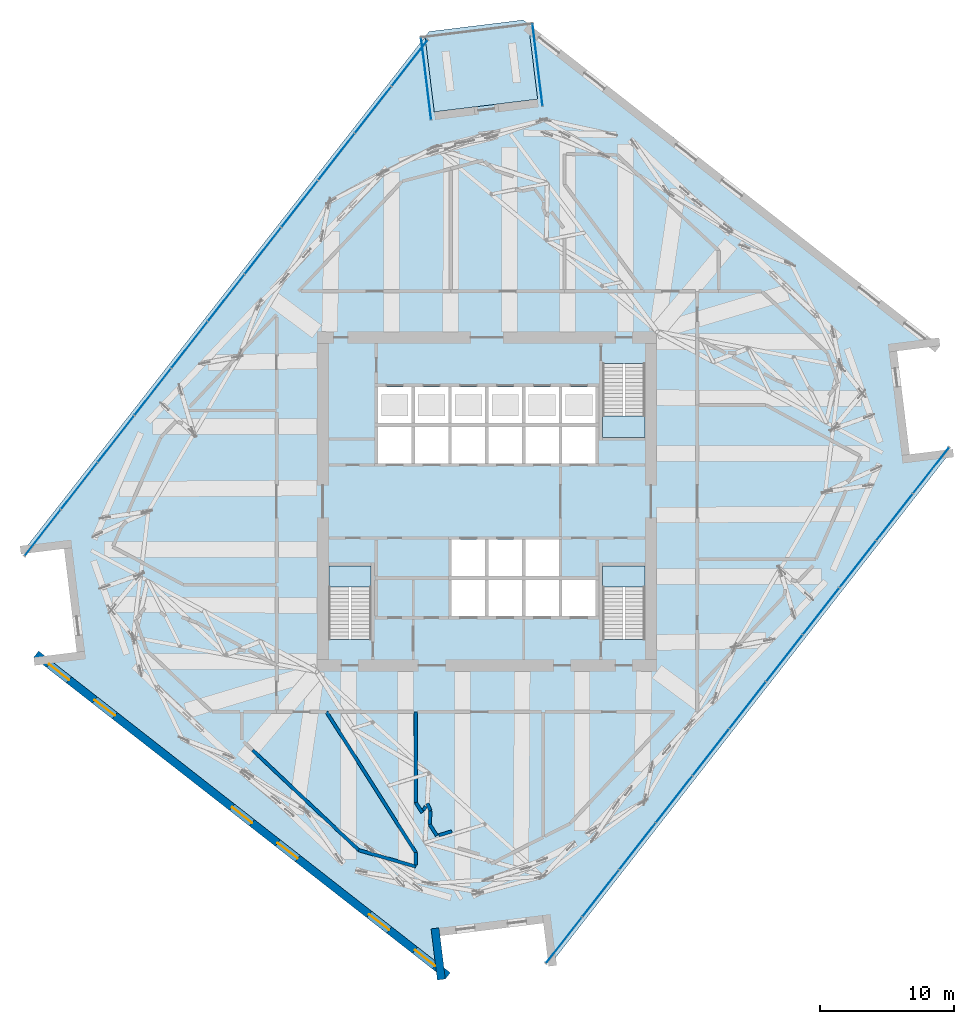
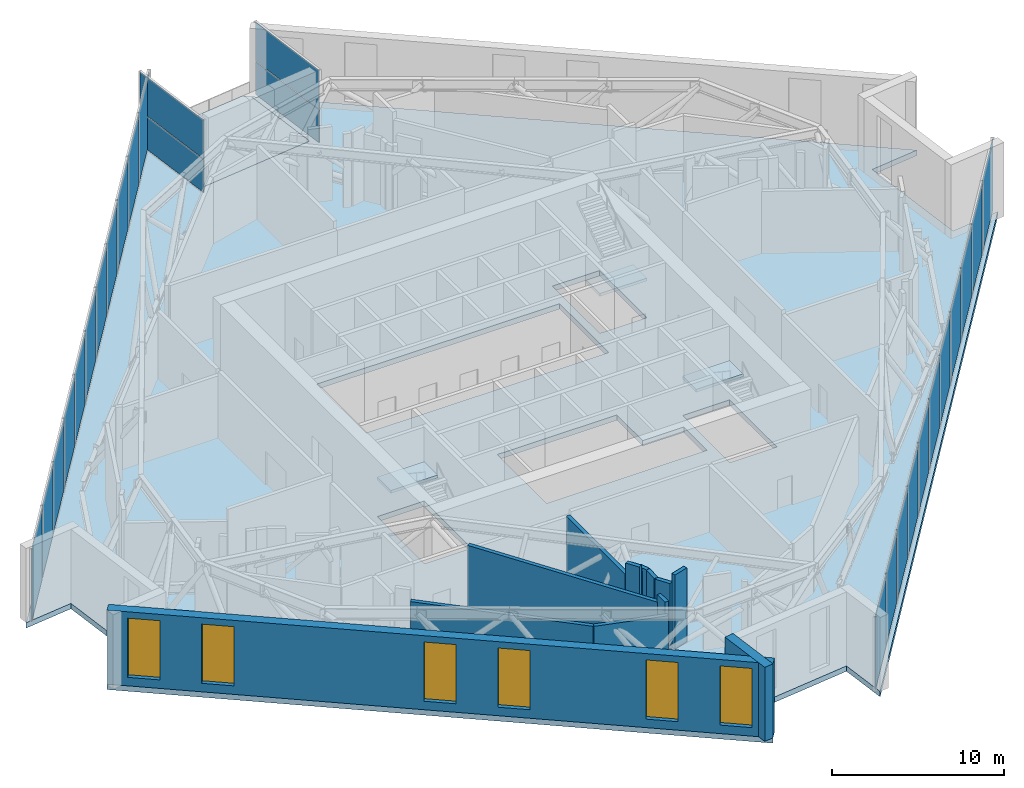
# One storey, part 11 of 23: 26 plates, 13 walls, 6 windows, 5 slabs, 6 openings, 7 elements without a shape of their own.
"""IFC4 building model written with IfcOpenShell, lengths in metres."""

from ifc_helpers import new_model, si_unit, direction, frame, frame_2d, origin, origin_2d, place, context, subcontext, project, spatial, polyline, rectangle, outline, extrude, material, layer, layer_set, type_object, element, fill, aggregate, save


model = new_model("IFC4")

# Units and contexts
model_context = context("Model", 3, precision=1e-05, world=origin(), true_north=direction((0.0, 1.0)))
body_context = subcontext(model_context, "Body", "Model", "MODEL_VIEW")
ifc_project = project(units=[si_unit("LENGTHUNIT", "METRE"), si_unit("AREAUNIT", "SQUARE_METRE"), si_unit("VOLUMEUNIT", "CUBIC_METRE"), si_unit("PLANEANGLEUNIT", "RADIAN"), si_unit("MASSUNIT", "GRAM", prefix="KILO")], contexts=[model_context])

# Site, building, storey
site_placement = place(None, origin())
site = spatial("IfcSite", under=ifc_project, at=site_placement, CompositionType="ELEMENT")
building_placement = place(site_placement, origin())
building = spatial("IfcBuilding", under=site, at=building_placement, Name="Dilmun Exchange Tower", CompositionType="ELEMENT")
storey_placement = place(building_placement, frame((0.0, 0.0, 237.300048828125)))
storey = spatial("IfcBuildingStorey", under=building, at=storey_placement, Name="L56", CompositionType="ELEMENT", Elevation=237.300048828125)

# Stair, slab
ifc_material_1 = material(Name="Concrete C40/50", Category="concrete")
stair_type = type_object("IfcStairType", Name="Exit stair 1500 half-turn", PredefinedType="HALF_TURN_STAIR", material=ifc_material_1)
stair_1_placement = place(storey_placement, origin())
stair_1 = element("IfcStair", 1, at=stair_1_placement, inside=storey, type_object=stair_type, Name="L56 Protected exit stair ST1", PredefinedType="HALF_TURN_STAIR")
ifc_layer_1 = layer(ifc_material_1, 0.199951171875)
ifc_layer_set_1 = layer_set([ifc_layer_1], Name="Concrete C40/50")
slab_type_1 = type_object("IfcSlabType", Name="Exit stair landing 200", PredefinedType="LANDING", material=ifc_layer_set_1)
slab_1_placement = place(storey_placement, frame((0.0, 0.0, 2.599853515625)))
slab_1 = element("IfcSlab", 2, at=slab_1_placement, type_object=slab_type_1, Name="ST1 landing 1", PredefinedType="LANDING", context=body_context, shape_type="SweptSolid", body=[
    extrude(outline(polyline([(8.64990234375, 6.3798828125), (8.64990234375, 4.800048828125), (11.800048828125, 4.800048828125), (11.800048828125, 6.3798828125), (8.64990234375, 6.3798828125)])), origin(), (0.0, 0.0, 1.0), 0.2001953125),
])
aggregate(stair_1, [slab_1])

stair_2_placement = place(storey_placement, origin())
stair_2 = element("IfcStair", 3, at=stair_2_placement, inside=storey, type_object=stair_type, Name="L56 Protected exit stair ST2", PredefinedType="HALF_TURN_STAIR")
slab_2_placement = place(storey_placement, frame((0.0, 0.0, 2.599853515625)))
slab_2 = element("IfcSlab", 4, at=slab_2_placement, type_object=slab_type_1, Name="ST2 landing 1", PredefinedType="LANDING", context=body_context, shape_type="SweptSolid", body=[
    extrude(outline(polyline([(-8.64990234375, -6.3798828125), (-8.64990234375, -4.800048828125), (-11.800048828125, -4.800048828125), (-11.800048828125, -6.3798828125), (-8.64990234375, -6.3798828125)])), origin(), (0.0, 0.0, 1.0), 0.2001953125),
])
aggregate(stair_2, [slab_2])

stair_3_placement = place(storey_placement, origin())
stair_3 = element("IfcStair", 5, at=stair_3_placement, inside=storey, type_object=stair_type, Name="L56 Protected exit stair ST3", PredefinedType="HALF_TURN_STAIR")
slab_3_placement = place(storey_placement, frame((0.0, 0.0, 2.599853515625)))
slab_3 = element("IfcSlab", 6, at=slab_3_placement, type_object=slab_type_1, Name="ST3 landing 1", PredefinedType="LANDING", context=body_context, shape_type="SweptSolid", body=[
    extrude(outline(polyline([(11.800048828125, -6.3798828125), (11.800048828125, -4.800048828125), (8.64990234375, -4.800048828125), (8.64990234375, -6.3798828125), (11.800048828125, -6.3798828125)])), origin(), (0.0, 0.0, 1.0), 0.2001953125),
])
aggregate(stair_3, [slab_3])

# Curtain wall, plates
ifc_material_2 = material(Name="Anodised aluminium and clear glass", Category="aluminium")
curtain_wall_type_1 = type_object("IfcCurtainWallType", Name="Garden corner glazing", PredefinedType="NOTDEFINED", material=ifc_material_2)
curtain_wall_1_placement = place(storey_placement, origin())
curtain_wall_1 = element("IfcCurtainWall", 7, at=curtain_wall_1_placement, inside=storey, type_object=curtain_wall_type_1, Name="Garden corner glazing run GC1.1", PredefinedType="NOTDEFINED")
ifc_material_3 = material(Name="Clear glass", Category="glass")
ifc_layer_2 = layer(ifc_material_3, 0.028076171875)
ifc_layer_set_2 = layer_set([ifc_layer_2], Name="Clear glass")
plate_type_1 = type_object("IfcPlateType", Name="Garden corner glazing glass panel 28", PredefinedType="CURTAIN_PANEL", material=ifc_layer_set_2)
plate_1_placement = place(storey_placement, frame((3.781982421875, 32.582275390625, 0.059814453125), z_axis=(0.0, 0.0, 1.0), x_axis=(0.12186114246, -0.992547158556, 0.0)))
plate_1 = element("IfcPlate", 8, at=plate_1_placement, type_object=plate_type_1, Name="GC1.1 panel 1.1", PredefinedType="CURTAIN_PANEL", context=body_context, shape_type="SweptSolid", body=[
    extrude(rectangle(XDim=6.12646484375, YDim=0.028076171875, at=origin_2d()), origin(), (0.0, 0.0, 1.0), 2.31005859375),
])
plate_2_placement = place(storey_placement, frame((3.781982421875, 32.582275390625, 2.429931640625), z_axis=(0.0, 0.0, 1.0), x_axis=(0.12186114246, -0.992547158556, 0.0)))
plate_2 = element("IfcPlate", 9, at=plate_2_placement, type_object=plate_type_1, Name="GC1.1 panel 1.2", PredefinedType="CURTAIN_PANEL", context=body_context, shape_type="SweptSolid", body=[
    extrude(rectangle(XDim=6.12646484375, YDim=0.028076171875, at=origin_2d()), origin(), (0.0, 0.0, 1.0), 2.75),
])
aggregate(curtain_wall_1, [plate_1, plate_2])

curtain_wall_2_placement = place(storey_placement, origin())
curtain_wall_2 = element("IfcCurtainWall", 10, at=curtain_wall_2_placement, inside=storey, type_object=curtain_wall_type_1, Name="Garden corner glazing run GC3.1", PredefinedType="NOTDEFINED")
plate_3_placement = place(storey_placement, frame((-4.53369140625, 31.561279296875, 0.059814453125), z_axis=(0.0, 0.0, 1.0), x_axis=(-0.121863078832, 0.992546920814, 0.0)))
plate_3 = element("IfcPlate", 11, at=plate_3_placement, type_object=plate_type_1, Name="GC3.1 panel 1.1", PredefinedType="CURTAIN_PANEL", context=body_context, shape_type="SweptSolid", body=[
    extrude(rectangle(XDim=6.12646484375, YDim=0.028076171875, at=origin_2d()), origin(), (0.0, 0.0, 1.0), 2.31005859375),
])
plate_4_placement = place(storey_placement, frame((-4.53369140625, 31.561279296875, 2.429931640625), z_axis=(0.0, 0.0, 1.0), x_axis=(-0.121863078832, 0.992546920814, 0.0)))
plate_4 = element("IfcPlate", 12, at=plate_4_placement, type_object=plate_type_1, Name="GC3.1 panel 1.2", PredefinedType="CURTAIN_PANEL", context=body_context, shape_type="SweptSolid", body=[
    extrude(rectangle(XDim=6.12646484375, YDim=0.028076171875, at=origin_2d()), origin(), (0.0, 0.0, 1.0), 2.75),
])
aggregate(curtain_wall_2, [plate_3, plate_4])

# Slabs
ifc_layer_3 = layer(ifc_material_1, 0.3798828125)
ifc_layer_set_3 = layer_set([ifc_layer_3], Name="Concrete C40/50")
slab_type_2 = type_object("IfcSlabType", Name="RC floor slab 380", PredefinedType="FLOOR", material=ifc_layer_set_3)
slab_4_placement = place(storey_placement, frame((0.0, 0.0, -0.380126953125)))
element("IfcSlab", 13, at=slab_4_placement, inside=storey, type_object=slab_type_2, Name="Floor slab", PredefinedType="FLOOR", context=body_context, shape_type="SweptSolid", body=[
    extrude(outline(polyline([(30.61376953125, 11.2392578125), (31.561767578125, 3.51904296875), (34.783935546875, 3.914794921875), (4.61669921875, -34.69775390625), (4.220947265625, -31.4755859375), (-3.499267578125, -32.423583984375), (-3.103515625, -35.645751953125), (-33.836181640625, -11.635009765625), (-30.61376953125, -11.2392578125), (-31.561767578125, -3.51904296875), (-34.783935546875, -3.914794921875), (-4.61669921875, 34.69775390625), (-3.928466796875, 29.093505859375), (3.791748046875, 30.04150390625), (3.103515625, 35.645751953125), (33.836181640625, 11.635009765625), (30.61376953125, 11.2392578125)]), holes=[polyline([(-8.64990234375, -4.800048828125), (-11.800048828125, -4.800048828125), (-11.800048828125, -10.294921875), (-8.64990234375, -10.294921875), (-8.64990234375, -4.800048828125)]), polyline([(11.800048828125, -4.800048828125), (8.64990234375, -4.800048828125), (8.64990234375, -10.294921875), (11.800048828125, -10.294921875), (11.800048828125, -4.800048828125)]), polyline([(5.375, -2.85009765625), (-2.625, -2.85009765625), (-2.625, -8.550048828125), (8.125, -8.550048828125), (8.125, -5.85009765625), (5.375, -5.85009765625), (5.375, -2.85009765625)]), polyline([(8.125, 8.550048828125), (-8.125, 8.550048828125), (-8.125, 2.85009765625), (8.125, 2.85009765625), (8.125, 8.550048828125)]), polyline([(8.64990234375, 10.294921875), (8.64990234375, 4.800048828125), (11.800048828125, 4.800048828125), (11.800048828125, 10.294921875), (8.64990234375, 10.294921875)])]), origin(), (0.0, 0.0, 1.0), 0.380126953125),
])
ifc_layer_4 = layer(ifc_material_1, 0.300048828125)
ifc_layer_set_4 = layer_set([ifc_layer_4], Name="Concrete C40/50")
slab_type_3 = type_object("IfcSlabType", Name="RC garden terrace slab 300", PredefinedType="FLOOR", material=ifc_layer_set_4)
slab_5_placement = place(storey_placement, frame((0.0, 0.0, -0.300048828125)))
element("IfcSlab", 14, at=slab_5_placement, inside=storey, type_object=slab_type_3, Name="Garden terrace slab", PredefinedType="FLOOR", context=body_context, shape_type="SweptSolid", body=[
    extrude(outline(polyline([(-3.928466796875, 29.093505859375), (-4.61669921875, 34.69775390625), (-4.30859375, 35.091796875), (2.709716796875, 35.95361328125), (3.103515625, 35.645751953125), (3.791748046875, 30.04150390625), (-3.928466796875, 29.093505859375)])), origin(), (0.0, 0.0, 1.0), 0.300048828125),
])

# Curtain wall, plates
curtain_wall_type_2 = type_object("IfcCurtainWallType", Name="Sky lobby glazing", PredefinedType="NOTDEFINED", material=ifc_material_2)
curtain_wall_3_placement = place(storey_placement, origin())
curtain_wall_3 = element("IfcCurtainWall", 15, at=curtain_wall_3_placement, inside=storey, type_object=curtain_wall_type_2, Name="Sky lobby glazing run SL4", PredefinedType="NOTDEFINED")
ifc_layer_5 = layer(ifc_material_3, 0.031982421875)
ifc_layer_set_5 = layer_set([ifc_layer_5], Name="Clear glass")
plate_type_2 = type_object("IfcPlateType", Name="Sky lobby glazing glass panel 32", PredefinedType="CURTAIN_PANEL", material=ifc_layer_set_5)
plate_5_placement = place(storey_placement, frame((-5.76220703125, 32.744140625, 0.06982421875), z_axis=(0.0, 0.0, 1.0), x_axis=(-0.615661586164, -0.78801066701, 0.0)))
plate_5 = element("IfcPlate", 16, at=plate_5_placement, type_object=plate_type_2, Name="SL4 panel 1.1", PredefinedType="CURTAIN_PANEL", context=body_context, shape_type="SweptSolid", body=[
    extrude(rectangle(XDim=4.349609375, YDim=0.031982421875, at=origin_2d()), origin(), (0.0, 0.0, 1.0), 5.10009765625),
])
plate_6_placement = place(storey_placement, frame((-8.493896484375, 29.247802734375, 0.06982421875), z_axis=(0.0, 0.0, 1.0), x_axis=(-0.615661586164, -0.78801066701, 0.0)))
plate_6 = element("IfcPlate", 17, at=plate_6_placement, type_object=plate_type_2, Name="SL4 panel 2.1", PredefinedType="CURTAIN_PANEL", context=body_context, shape_type="SweptSolid", body=[
    extrude(rectangle(XDim=4.384521484375, YDim=0.031982421875, at=origin_2d()), origin(), (0.0, 0.0, 1.0), 5.10009765625),
])
plate_7_placement = place(storey_placement, frame((-11.236328125, 25.737548828125, 0.06982421875), z_axis=(0.0, 0.0, 1.0), x_axis=(-0.615661586164, -0.78801066701, 0.0)))
plate_7 = element("IfcPlate", 18, at=plate_7_placement, type_object=plate_type_2, Name="SL4 panel 3.1", PredefinedType="CURTAIN_PANEL", context=body_context, shape_type="SweptSolid", body=[
    extrude(rectangle(XDim=4.384521484375, YDim=0.031982421875, at=origin_2d()), origin(), (0.0, 0.0, 1.0), 5.10009765625),
])
plate_8_placement = place(storey_placement, frame((-13.97900390625, 22.227294921875, 0.06982421875), z_axis=(0.0, 0.0, 1.0), x_axis=(-0.615661586164, -0.78801066701, 0.0)))
plate_8 = element("IfcPlate", 19, at=plate_8_placement, type_object=plate_type_2, Name="SL4 panel 4.1", PredefinedType="CURTAIN_PANEL", context=body_context, shape_type="SweptSolid", body=[
    extrude(rectangle(XDim=4.384521484375, YDim=0.031982421875, at=origin_2d()), origin(), (0.0, 0.0, 1.0), 5.10009765625),
])
plate_9_placement = place(storey_placement, frame((-16.721435546875, 18.717041015625, 0.06982421875), z_axis=(0.0, 0.0, 1.0), x_axis=(-0.615661586164, -0.78801066701, 0.0)))
plate_9 = element("IfcPlate", 20, at=plate_9_placement, type_object=plate_type_2, Name="SL4 panel 5.1", PredefinedType="CURTAIN_PANEL", context=body_context, shape_type="SweptSolid", body=[
    extrude(rectangle(XDim=4.384521484375, YDim=0.031982421875, at=origin_2d()), origin(), (0.0, 0.0, 1.0), 5.10009765625),
])
plate_10_placement = place(storey_placement, frame((-19.4638671875, 15.206787109375, 0.06982421875), z_axis=(0.0, 0.0, 1.0), x_axis=(-0.615661586164, -0.78801066701, 0.0)))
plate_10 = element("IfcPlate", 21, at=plate_10_placement, type_object=plate_type_2, Name="SL4 panel 6.1", PredefinedType="CURTAIN_PANEL", context=body_context, shape_type="SweptSolid", body=[
    extrude(rectangle(XDim=4.384521484375, YDim=0.031982421875, at=origin_2d()), origin(), (0.0, 0.0, 1.0), 5.10009765625),
])
plate_11_placement = place(storey_placement, frame((-22.206298828125, 11.696533203125, 0.06982421875), z_axis=(0.0, 0.0, 1.0), x_axis=(-0.615661586164, -0.78801066701, 0.0)))
plate_11 = element("IfcPlate", 22, at=plate_11_placement, type_object=plate_type_2, Name="SL4 panel 7.1", PredefinedType="CURTAIN_PANEL", context=body_context, shape_type="SweptSolid", body=[
    extrude(rectangle(XDim=4.384521484375, YDim=0.031982421875, at=origin_2d()), origin(), (0.0, 0.0, 1.0), 5.10009765625),
])
plate_12_placement = place(storey_placement, frame((-24.948974609375, 8.186279296875, 0.06982421875), z_axis=(0.0, 0.0, 1.0), x_axis=(-0.615661586164, -0.78801066701, 0.0)))
plate_12 = element("IfcPlate", 23, at=plate_12_placement, type_object=plate_type_2, Name="SL4 panel 8.1", PredefinedType="CURTAIN_PANEL", context=body_context, shape_type="SweptSolid", body=[
    extrude(rectangle(XDim=4.384521484375, YDim=0.031982421875, at=origin_2d()), origin(), (0.0, 0.0, 1.0), 5.10009765625),
])
plate_13_placement = place(storey_placement, frame((-27.69140625, 4.67626953125, 0.06982421875), z_axis=(0.0, 0.0, 1.0), x_axis=(-0.615661586164, -0.78801066701, 0.0)))
plate_13 = element("IfcPlate", 24, at=plate_13_placement, type_object=plate_type_2, Name="SL4 panel 9.1", PredefinedType="CURTAIN_PANEL", context=body_context, shape_type="SweptSolid", body=[
    extrude(rectangle(XDim=4.384521484375, YDim=0.031982421875, at=origin_2d()), origin(), (0.0, 0.0, 1.0), 5.10009765625),
])
plate_14_placement = place(storey_placement, frame((-30.433837890625, 1.166015625, 0.06982421875), z_axis=(0.0, 0.0, 1.0), x_axis=(-0.615661586164, -0.78801066701, 0.0)))
plate_14 = element("IfcPlate", 25, at=plate_14_placement, type_object=plate_type_2, Name="SL4 panel 10.1", PredefinedType="CURTAIN_PANEL", context=body_context, shape_type="SweptSolid", body=[
    extrude(rectangle(XDim=4.384521484375, YDim=0.031982421875, at=origin_2d()), origin(), (0.0, 0.0, 1.0), 5.10009765625),
])
plate_15_placement = place(storey_placement, frame((-33.16552734375, -2.33056640625, 0.06982421875), z_axis=(0.0, 0.0, 1.0), x_axis=(-0.615661586164, -0.78801066701, 0.0)))
plate_15 = element("IfcPlate", 26, at=plate_15_placement, type_object=plate_type_2, Name="SL4 panel 11.1", PredefinedType="CURTAIN_PANEL", context=body_context, shape_type="SweptSolid", body=[
    extrude(rectangle(XDim=4.349609375, YDim=0.031982421875, at=origin_2d()), origin(), (0.0, 0.0, 1.0), 5.10009765625),
])
aggregate(curtain_wall_3, [plate_5, plate_6, plate_7, plate_8, plate_9, plate_10, plate_11, plate_12, plate_13, plate_14, plate_15])

curtain_wall_4_placement = place(storey_placement, origin())
curtain_wall_4 = element("IfcCurtainWall", 27, at=curtain_wall_4_placement, inside=storey, type_object=curtain_wall_type_2, Name="Sky lobby glazing run SL12", PredefinedType="NOTDEFINED")
plate_16_placement = place(storey_placement, frame((5.76220703125, -32.744140625, 0.06982421875), z_axis=(0.0, 0.0, 1.0), x_axis=(0.615661586164, 0.78801066701, 0.0)))
plate_16 = element("IfcPlate", 28, at=plate_16_placement, type_object=plate_type_2, Name="SL12 panel 1.1", PredefinedType="CURTAIN_PANEL", context=body_context, shape_type="SweptSolid", body=[
    extrude(rectangle(XDim=4.349609375, YDim=0.031982421875, at=origin_2d()), origin(), (0.0, 0.0, 1.0), 5.10009765625),
])
plate_17_placement = place(storey_placement, frame((8.493896484375, -29.247802734375, 0.06982421875), z_axis=(0.0, 0.0, 1.0), x_axis=(0.615661586164, 0.78801066701, 0.0)))
plate_17 = element("IfcPlate", 29, at=plate_17_placement, type_object=plate_type_2, Name="SL12 panel 2.1", PredefinedType="CURTAIN_PANEL", context=body_context, shape_type="SweptSolid", body=[
    extrude(rectangle(XDim=4.384521484375, YDim=0.031982421875, at=origin_2d()), origin(), (0.0, 0.0, 1.0), 5.10009765625),
])
plate_18_placement = place(storey_placement, frame((11.236328125, -25.737548828125, 0.06982421875), z_axis=(0.0, 0.0, 1.0), x_axis=(0.615661586164, 0.78801066701, 0.0)))
plate_18 = element("IfcPlate", 30, at=plate_18_placement, type_object=plate_type_2, Name="SL12 panel 3.1", PredefinedType="CURTAIN_PANEL", context=body_context, shape_type="SweptSolid", body=[
    extrude(rectangle(XDim=4.384521484375, YDim=0.031982421875, at=origin_2d()), origin(), (0.0, 0.0, 1.0), 5.10009765625),
])
plate_19_placement = place(storey_placement, frame((13.97900390625, -22.227294921875, 0.06982421875), z_axis=(0.0, 0.0, 1.0), x_axis=(0.615661586164, 0.78801066701, 0.0)))
plate_19 = element("IfcPlate", 31, at=plate_19_placement, type_object=plate_type_2, Name="SL12 panel 4.1", PredefinedType="CURTAIN_PANEL", context=body_context, shape_type="SweptSolid", body=[
    extrude(rectangle(XDim=4.384521484375, YDim=0.031982421875, at=origin_2d()), origin(), (0.0, 0.0, 1.0), 5.10009765625),
])
plate_20_placement = place(storey_placement, frame((16.721435546875, -18.717041015625, 0.06982421875), z_axis=(0.0, 0.0, 1.0), x_axis=(0.615661586164, 0.78801066701, 0.0)))
plate_20 = element("IfcPlate", 32, at=plate_20_placement, type_object=plate_type_2, Name="SL12 panel 5.1", PredefinedType="CURTAIN_PANEL", context=body_context, shape_type="SweptSolid", body=[
    extrude(rectangle(XDim=4.384521484375, YDim=0.031982421875, at=origin_2d()), origin(), (0.0, 0.0, 1.0), 5.10009765625),
])
plate_21_placement = place(storey_placement, frame((19.4638671875, -15.206787109375, 0.06982421875), z_axis=(0.0, 0.0, 1.0), x_axis=(0.615661586164, 0.78801066701, 0.0)))
plate_21 = element("IfcPlate", 33, at=plate_21_placement, type_object=plate_type_2, Name="SL12 panel 6.1", PredefinedType="CURTAIN_PANEL", context=body_context, shape_type="SweptSolid", body=[
    extrude(rectangle(XDim=4.384521484375, YDim=0.031982421875, at=origin_2d()), origin(), (0.0, 0.0, 1.0), 5.10009765625),
])
plate_22_placement = place(storey_placement, frame((22.206298828125, -11.696533203125, 0.06982421875), z_axis=(0.0, 0.0, 1.0), x_axis=(0.615661586164, 0.78801066701, 0.0)))
plate_22 = element("IfcPlate", 34, at=plate_22_placement, type_object=plate_type_2, Name="SL12 panel 7.1", PredefinedType="CURTAIN_PANEL", context=body_context, shape_type="SweptSolid", body=[
    extrude(rectangle(XDim=4.384521484375, YDim=0.031982421875, at=origin_2d()), origin(), (0.0, 0.0, 1.0), 5.10009765625),
])
plate_23_placement = place(storey_placement, frame((24.948974609375, -8.186279296875, 0.06982421875), z_axis=(0.0, 0.0, 1.0), x_axis=(0.615661586164, 0.78801066701, 0.0)))
plate_23 = element("IfcPlate", 35, at=plate_23_placement, type_object=plate_type_2, Name="SL12 panel 8.1", PredefinedType="CURTAIN_PANEL", context=body_context, shape_type="SweptSolid", body=[
    extrude(rectangle(XDim=4.384521484375, YDim=0.031982421875, at=origin_2d()), origin(), (0.0, 0.0, 1.0), 5.10009765625),
])
plate_24_placement = place(storey_placement, frame((27.69140625, -4.67626953125, 0.06982421875), z_axis=(0.0, 0.0, 1.0), x_axis=(0.615661586164, 0.78801066701, 0.0)))
plate_24 = element("IfcPlate", 36, at=plate_24_placement, type_object=plate_type_2, Name="SL12 panel 9.1", PredefinedType="CURTAIN_PANEL", context=body_context, shape_type="SweptSolid", body=[
    extrude(rectangle(XDim=4.384521484375, YDim=0.031982421875, at=origin_2d()), origin(), (0.0, 0.0, 1.0), 5.10009765625),
])
plate_25_placement = place(storey_placement, frame((30.433837890625, -1.166015625, 0.06982421875), z_axis=(0.0, 0.0, 1.0), x_axis=(0.615661586164, 0.78801066701, 0.0)))
plate_25 = element("IfcPlate", 37, at=plate_25_placement, type_object=plate_type_2, Name="SL12 panel 10.1", PredefinedType="CURTAIN_PANEL", context=body_context, shape_type="SweptSolid", body=[
    extrude(rectangle(XDim=4.384521484375, YDim=0.031982421875, at=origin_2d()), origin(), (0.0, 0.0, 1.0), 5.10009765625),
])
plate_26_placement = place(storey_placement, frame((33.16552734375, 2.33056640625, 0.06982421875), z_axis=(0.0, 0.0, 1.0), x_axis=(0.615661586164, 0.78801066701, 0.0)))
plate_26 = element("IfcPlate", 38, at=plate_26_placement, type_object=plate_type_2, Name="SL12 panel 11.1", PredefinedType="CURTAIN_PANEL", context=body_context, shape_type="SweptSolid", body=[
    extrude(rectangle(XDim=4.349609375, YDim=0.031982421875, at=origin_2d()), origin(), (0.0, 0.0, 1.0), 5.10009765625),
])
aggregate(curtain_wall_4, [plate_16, plate_17, plate_18, plate_19, plate_20, plate_21, plate_22, plate_23, plate_24, plate_25, plate_26])

# Walls
ifc_material_4 = material(Name="Concrete C32/40", Category="concrete")
ifc_layer_6 = layer(ifc_material_4, 0.25)
ifc_layer_set_6 = layer_set([ifc_layer_6], Name="Concrete C32/40")
wall_type_1 = type_object("IfcWallType", Name="Plant room wall 250", PredefinedType="PARTITIONING", material=ifc_layer_set_6)
wall_1_placement = place(storey_placement, frame((-9.568359375, -26.0234375, 0.0), z_axis=(0.0, 0.0, 1.0), x_axis=(0.960840758028, -0.277101132642, 0.0)))
element("IfcWall", 39, at=wall_1_placement, inside=storey, type_object=wall_type_1, Name="L56 plant room wall 01", PredefinedType="PARTITIONING", context=body_context, shape_type="SweptSolid", body=[
    extrude(rectangle(XDim=4.4423828125, YDim=0.25, at=frame_2d((2.22119140625, 0.0))), origin(), (0.0, 0.0, 1.0), 4.406005859375),
])
wall_2_placement = place(storey_placement, frame((-5.300048828125, -27.119140625, 0.0), z_axis=(0.0, 0.0, 1.0), x_axis=(0.0, 1.0, 0.0)))
element("IfcWall", 40, at=wall_2_placement, inside=storey, type_object=wall_type_1, Name="L56 plant room wall 04", PredefinedType="PARTITIONING", context=body_context, shape_type="SweptSolid", body=[
    extrude(rectangle(XDim=0.90625, YDim=0.25, at=frame_2d((0.453125, 0.0))), origin(), (0.0, 0.0, 1.0), 5.239990234375),
])
wall_3_placement = place(storey_placement, frame((-17.4912109375, -18.555419921875, 0.0), z_axis=(0.0, 0.0, 1.0), x_axis=(0.72768538367, -0.685911060119, 0.0)))
element("IfcWall", 41, at=wall_3_placement, inside=storey, type_object=wall_type_1, Name="L56 plant room wall 05", PredefinedType="PARTITIONING", context=body_context, shape_type="SweptSolid", body=[
    extrude(rectangle(XDim=10.882080078125, YDim=0.25, at=frame_2d((5.44091796875, 0.0))), origin(), (0.0, 0.0, 1.0), 4.406005859375),
])
wall_4_placement = place(storey_placement, frame((-4.270263671875, -24.10400390625, 0.0), z_axis=(0.0, 0.0, 1.0), x_axis=(0.5361253023, -0.844138412959, 0.0)))
element("IfcWall", 42, at=wall_4_placement, inside=storey, type_object=wall_type_1, Name="L56 plant room wall 08", PredefinedType="PARTITIONING", context=body_context, shape_type="SweptSolid", body=[
    extrude(rectangle(XDim=0.989990234375, YDim=0.25, at=frame_2d((0.4951171875, 0.0))), origin(), (0.0, 0.0, 1.0), 4.719970703125),
])
wall_5_placement = place(storey_placement, frame((-3.573486328125, -24.916015625, 0.0), z_axis=(0.0, 0.0, 1.0), x_axis=(0.956395199731, 0.29207571267, 0.0)))
element("IfcWall", 43, at=wall_5_placement, inside=storey, type_object=wall_type_1, Name="L56 plant room wall 09", PredefinedType="PARTITIONING", context=body_context, shape_type="SweptSolid", body=[
    extrude(rectangle(XDim=0.998779296875, YDim=0.25, at=frame_2d((0.49951171875, 0.0))), origin(), (0.0, 0.0, 1.0), 5.239990234375),
])
wall_6_placement = place(storey_placement, frame((-4.27001953125, -24.097900390625, 0.0), z_axis=(0.0, 0.0, 1.0), x_axis=(0.050497290909, 0.99872419797, 0.0)))
element("IfcWall", 44, at=wall_6_placement, inside=storey, type_object=wall_type_1, Name="L56 plant room wall 10", PredefinedType="PARTITIONING", context=body_context, shape_type="SweptSolid", body=[
    extrude(rectangle(XDim=1.000732421875, YDim=0.25, at=frame_2d((0.50048828125, 0.0))), origin(), (0.0, 0.0, 1.0), 4.719970703125),
])
wall_7_placement = place(storey_placement, frame((-5.300048828125, -22.4833984375, 0.0), z_axis=(0.0, 0.0, 1.0), x_axis=(0.536429271503, -0.843945280616, 0.0)))
element("IfcWall", 45, at=wall_7_placement, inside=storey, type_object=wall_type_1, Name="L56 plant room wall 12", PredefinedType="PARTITIONING", context=body_context, shape_type="SweptSolid", body=[
    extrude(rectangle(XDim=0.88525390625, YDim=0.25, at=frame_2d((0.442626953125, 0.0))), origin(), (0.0, 0.0, 1.0), 5.239990234375),
])
wall_8_placement = place(storey_placement, frame((-4.443115234375, -22.531005859375, 0.0), z_axis=(0.0, 0.0, 1.0), x_axis=(0.376309453549, -0.926494034071, 0.0)))
element("IfcWall", 46, at=wall_8_placement, inside=storey, type_object=wall_type_1, Name="L56 plant room wall 13", PredefinedType="PARTITIONING", context=body_context, shape_type="SweptSolid", body=[
    extrude(rectangle(XDim=0.581298828125, YDim=0.25, at=frame_2d((0.29052734375, 0.0))), origin(), (0.0, 0.0, 1.0), 4.719970703125),
])
wall_9_placement = place(storey_placement, frame((-4.726806640625, -23.044189453125, 0.0), z_axis=(0.0, 0.0, 1.0), x_axis=(0.468054937758, 0.883699369266, 0.0)))
element("IfcWall", 47, at=wall_9_placement, inside=storey, type_object=wall_type_1, Name="L56 plant room wall 14", PredefinedType="PARTITIONING", context=body_context, shape_type="SweptSolid", body=[
    extrude(rectangle(XDim=0.33544921875, YDim=0.25, at=frame_2d((0.167724609375, 0.0))), origin(), (0.0, 0.0, 1.0), 4.719970703125),
])
wall_10_placement = place(storey_placement, frame((-5.300048828125, -22.477294921875, 0.0), z_axis=(0.0, 0.0, 1.0), x_axis=(0.0, 1.0, 0.0)))
element("IfcWall", 48, at=wall_10_placement, inside=storey, type_object=wall_type_1, Name="L56 plant room wall 15", PredefinedType="PARTITIONING", context=body_context, shape_type="SweptSolid", body=[
    extrude(rectangle(XDim=6.77734375, YDim=0.25, at=frame_2d((3.388671875, 0.0))), origin(), (0.0, 0.0, 1.0), 4.419921875),
])
wall_11_placement = place(storey_placement, frame((-11.973876953125, -15.7080078125, 0.0), z_axis=(0.0, 0.0, 1.0), x_axis=(0.536236575242, -0.844067731508, 0.0)))
element("IfcWall", 49, at=wall_11_placement, inside=storey, type_object=wall_type_1, Name="L56 plant room wall 22", PredefinedType="PARTITIONING", context=body_context, shape_type="SweptSolid", body=[
    extrude(rectangle(XDim=12.439697265625, YDim=0.25, at=frame_2d((6.2197265625, 0.0))), origin(), (0.0, 0.0, 1.0), 4.719970703125),
])

# Wall, openings, windows
ifc_material_5 = material(Name="Precast concrete C50/60", Category="concrete")
ifc_layer_7 = layer(ifc_material_5, 0.60009765625)
ifc_layer_set_7 = layer_set([ifc_layer_7], Name="Precast concrete C50/60")
wall_type_2 = type_object("IfcWallType", Name="Precast stone-clad wall 600", PredefinedType="STANDARD", material=ifc_layer_set_7)
wall_12_placement = place(storey_placement, frame((-33.6513671875, -11.3984375, 0.0), z_axis=(0.0, 0.0, 1.0), x_axis=(0.788011466291, -0.61566056313, 0.0)))
wall_12 = element("IfcWall", 50, at=wall_12_placement, inside=storey, type_object=wall_type_2, Name="Facade wall L56-07", PredefinedType="STANDARD", context=body_context, shape_type="SweptSolid", body=[
    extrude(rectangle(XDim=39.0, YDim=0.60009765625, at=frame_2d((19.5, 0.0))), origin(), (0.0, 0.0, 1.0), 5.239990234375),
])
opening_1_placement = place(wall_12_placement, frame((1.216796875, 0.0, 0.60009765625)))
opening_1 = element("IfcOpeningElement", 51, at=opening_1_placement, cuts=wall_12, Name="Opening LV190-419", PredefinedType="OPENING", context=body_context, shape_type="SweptSolid", body=[
    extrude(rectangle(XDim=1.89990234375, YDim=4.18994140625, at=frame_2d((0.949951171875, 2.094970703125))), frame((0.0, 0.31005859375, 0.0), z_axis=(0.0, -1.0, 0.0), x_axis=(1.0, 0.0, 0.0)), (0.0, 0.0, 1.0), 0.6201171875),
])
opening_2_placement = place(wall_12_placement, frame((5.550048828125, 0.0, 0.60009765625)))
opening_2 = element("IfcOpeningElement", 52, at=opening_2_placement, cuts=wall_12, Name="Opening LV190-419", PredefinedType="OPENING", context=body_context, shape_type="SweptSolid", body=[
    extrude(rectangle(XDim=1.89990234375, YDim=4.18994140625, at=frame_2d((0.949951171875, 2.094970703125))), frame((0.0, 0.31005859375, 0.0), z_axis=(0.0, -1.0, 0.0), x_axis=(1.0, 0.0, 0.0)), (0.0, 0.0, 1.0), 0.6201171875),
])
opening_3_placement = place(wall_12_placement, frame((18.550048828125, 0.0, 0.60009765625)))
opening_3 = element("IfcOpeningElement", 53, at=opening_3_placement, cuts=wall_12, Name="Opening LV190-419", PredefinedType="OPENING", context=body_context, shape_type="SweptSolid", body=[
    extrude(rectangle(XDim=1.89990234375, YDim=4.18994140625, at=frame_2d((0.949951171875, 2.094970703125))), frame((0.0, 0.31005859375, 0.0), z_axis=(0.0, -1.0, 0.0), x_axis=(1.0, 0.0, 0.0)), (0.0, 0.0, 1.0), 0.6201171875),
])
opening_4_placement = place(wall_12_placement, frame((22.88330078125, 0.0, 0.60009765625)))
opening_4 = element("IfcOpeningElement", 54, at=opening_4_placement, cuts=wall_12, Name="Opening LV190-419", PredefinedType="OPENING", context=body_context, shape_type="SweptSolid", body=[
    extrude(rectangle(XDim=1.89990234375, YDim=4.18994140625, at=frame_2d((0.949951171875, 2.094970703125))), frame((0.0, 0.31005859375, 0.0), z_axis=(0.0, -1.0, 0.0), x_axis=(1.0, 0.0, 0.0)), (0.0, 0.0, 1.0), 0.6201171875),
])
opening_5_placement = place(wall_12_placement, frame((31.550048828125, 0.0, 0.60009765625)))
opening_5 = element("IfcOpeningElement", 55, at=opening_5_placement, cuts=wall_12, Name="Opening LV190-419", PredefinedType="OPENING", context=body_context, shape_type="SweptSolid", body=[
    extrude(rectangle(XDim=1.89990234375, YDim=4.18994140625, at=frame_2d((0.949951171875, 2.094970703125))), frame((0.0, 0.31005859375, 0.0), z_axis=(0.0, -1.0, 0.0), x_axis=(1.0, 0.0, 0.0)), (0.0, 0.0, 1.0), 0.6201171875),
])
opening_6_placement = place(wall_12_placement, frame((35.88330078125, 0.0, 0.60009765625)))
opening_6 = element("IfcOpeningElement", 56, at=opening_6_placement, cuts=wall_12, Name="Opening LV190-419", PredefinedType="OPENING", context=body_context, shape_type="SweptSolid", body=[
    extrude(rectangle(XDim=1.89990234375, YDim=4.18994140625, at=frame_2d((0.949951171875, 2.094970703125))), frame((0.0, 0.31005859375, 0.0), z_axis=(0.0, -1.0, 0.0), x_axis=(1.0, 0.0, 0.0)), (0.0, 0.0, 1.0), 0.6201171875),
])
ifc_material_6 = material(Name="Anodised aluminium louvre blades with sand trap", Category="aluminium")
window_type = type_object("IfcWindowType", Name="Plant louvre 1900 x 4190", PartitioningType="SINGLE_PANEL", PredefinedType="USERDEFINED", material=ifc_material_6)
window_1_placement = place(opening_1_placement, origin())
window_1 = element("IfcWindow", 57, at=window_1_placement, inside=storey, type_object=window_type, Name="Plant louvre 8.1", ObjectType="LOUVRE", OverallHeight=4.18994140625, OverallWidth=1.89990234375, PartitioningType="SINGLE_PANEL", PredefinedType="USERDEFINED", context=body_context, shape_type="SweptSolid", body=[
    extrude(rectangle(XDim=1.89990234375, YDim=4.18994140625, at=frame_2d((0.949951171875, 2.094970703125))), frame((0.0, 0.030029296875, 0.0), z_axis=(0.0, -1.0, 0.0), x_axis=(1.0, 0.0, 0.0)), (0.0, 0.0, 1.0), 0.06005859375),
])
fill(opening_1, window_1)
window_2_placement = place(opening_2_placement, origin())
window_2 = element("IfcWindow", 58, at=window_2_placement, inside=storey, type_object=window_type, Name="Plant louvre 8.2", ObjectType="LOUVRE", OverallHeight=4.18994140625, OverallWidth=1.89990234375, PartitioningType="SINGLE_PANEL", PredefinedType="USERDEFINED", context=body_context, shape_type="SweptSolid", body=[
    extrude(rectangle(XDim=1.89990234375, YDim=4.18994140625, at=frame_2d((0.949951171875, 2.094970703125))), frame((0.0, 0.030029296875, 0.0), z_axis=(0.0, -1.0, 0.0), x_axis=(1.0, 0.0, 0.0)), (0.0, 0.0, 1.0), 0.06005859375),
])
fill(opening_2, window_2)
window_3_placement = place(opening_3_placement, origin())
window_3 = element("IfcWindow", 59, at=window_3_placement, inside=storey, type_object=window_type, Name="Plant louvre 8.5", ObjectType="LOUVRE", OverallHeight=4.18994140625, OverallWidth=1.89990234375, PartitioningType="SINGLE_PANEL", PredefinedType="USERDEFINED", context=body_context, shape_type="SweptSolid", body=[
    extrude(rectangle(XDim=1.89990234375, YDim=4.18994140625, at=frame_2d((0.949951171875, 2.094970703125))), frame((0.0, 0.030029296875, 0.0), z_axis=(0.0, -1.0, 0.0), x_axis=(1.0, 0.0, 0.0)), (0.0, 0.0, 1.0), 0.06005859375),
])
fill(opening_3, window_3)
window_4_placement = place(opening_4_placement, origin())
window_4 = element("IfcWindow", 60, at=window_4_placement, inside=storey, type_object=window_type, Name="Plant louvre 8.6", ObjectType="LOUVRE", OverallHeight=4.18994140625, OverallWidth=1.89990234375, PartitioningType="SINGLE_PANEL", PredefinedType="USERDEFINED", context=body_context, shape_type="SweptSolid", body=[
    extrude(rectangle(XDim=1.89990234375, YDim=4.18994140625, at=frame_2d((0.949951171875, 2.094970703125))), frame((0.0, 0.030029296875, 0.0), z_axis=(0.0, -1.0, 0.0), x_axis=(1.0, 0.0, 0.0)), (0.0, 0.0, 1.0), 0.06005859375),
])
fill(opening_4, window_4)
window_5_placement = place(opening_5_placement, origin())
window_5 = element("IfcWindow", 61, at=window_5_placement, inside=storey, type_object=window_type, Name="Plant louvre 8.8", ObjectType="LOUVRE", OverallHeight=4.18994140625, OverallWidth=1.89990234375, PartitioningType="SINGLE_PANEL", PredefinedType="USERDEFINED", context=body_context, shape_type="SweptSolid", body=[
    extrude(rectangle(XDim=1.89990234375, YDim=4.18994140625, at=frame_2d((0.949951171875, 2.094970703125))), frame((0.0, 0.030029296875, 0.0), z_axis=(0.0, -1.0, 0.0), x_axis=(1.0, 0.0, 0.0)), (0.0, 0.0, 1.0), 0.06005859375),
])
fill(opening_5, window_5)
window_6_placement = place(opening_6_placement, origin())
window_6 = element("IfcWindow", 62, at=window_6_placement, inside=storey, type_object=window_type, Name="Plant louvre 8.9", ObjectType="LOUVRE", OverallHeight=4.18994140625, OverallWidth=1.89990234375, PartitioningType="SINGLE_PANEL", PredefinedType="USERDEFINED", context=body_context, shape_type="SweptSolid", body=[
    extrude(rectangle(XDim=1.89990234375, YDim=4.18994140625, at=frame_2d((0.949951171875, 2.094970703125))), frame((0.0, 0.030029296875, 0.0), z_axis=(0.0, -1.0, 0.0), x_axis=(1.0, 0.0, 0.0)), (0.0, 0.0, 1.0), 0.06005859375),
])
fill(opening_6, window_6)

# Wall
wall_13_placement = place(storey_placement, frame((-3.4013671875, -35.682373046875, 0.0), z_axis=(0.0, 0.0, 1.0), x_axis=(-0.1218627803, 0.992546957467, 0.0)))
element("IfcWall", 63, at=wall_13_placement, inside=storey, type_object=wall_type_2, Name="Facade wall L56-08", PredefinedType="STANDARD", context=body_context, shape_type="SweptSolid", body=[
    extrude(rectangle(XDim=3.846435546875, YDim=0.60009765625, at=frame_2d((1.92333984375, 0.0))), origin(), (0.0, 0.0, 1.0), 5.239990234375),
])

save(model, "model.ifc")
